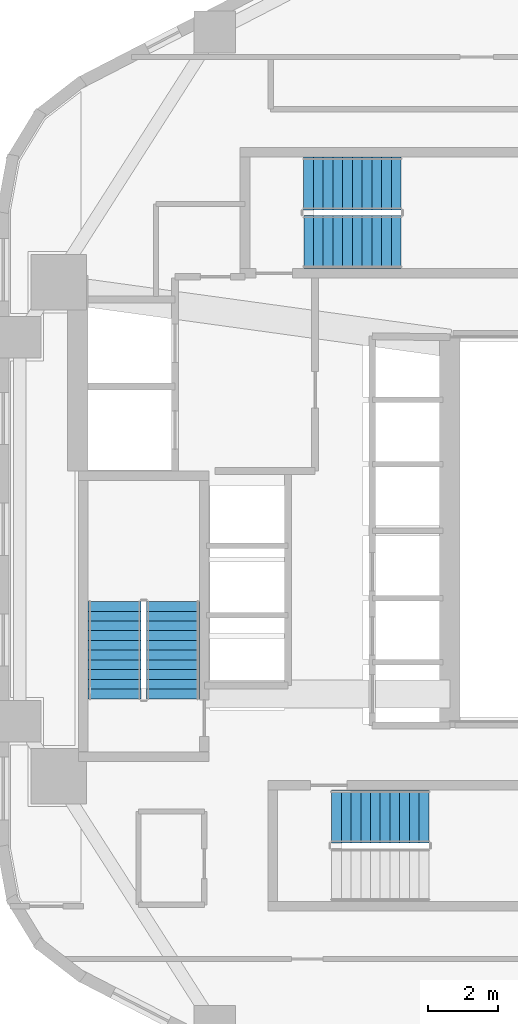
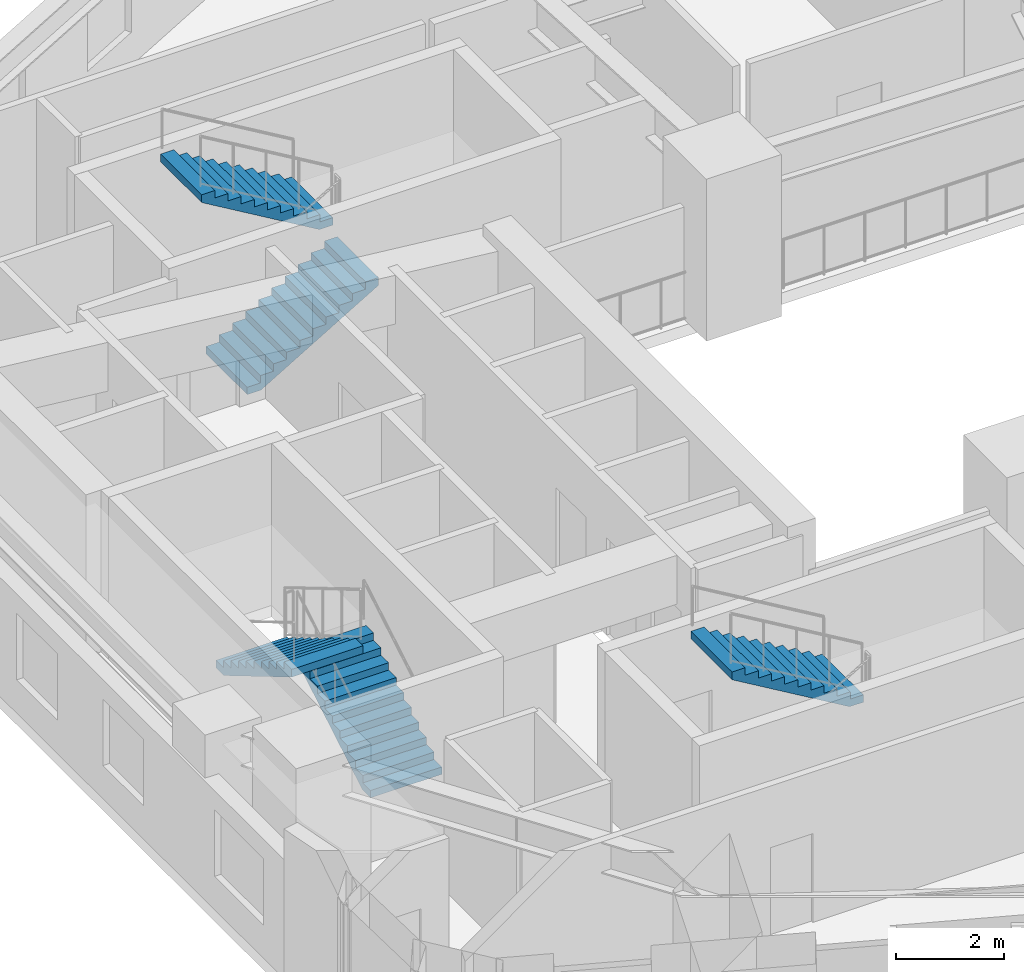
# One storey, part 6 of 7: 5 stair flights, 3 elements without a shape of their own.
"""IFC4 building model written with IfcOpenShell, lengths in metres."""

import ifcopenshell
import ifcopenshell.guid

model = None  # the IFC model being written
_history = None  # IfcOwnerHistory: only IFC2X3 demands one
_inside = {}  # id of a spatial element -> (the spatial element, [elements in it])
_under = {}  # id of a project, library or spatial element -> (it, [spatial elements below it])
_declared = {}  # id of a project -> (the project, [libraries it declares])
_typed = {}  # id of a type object -> (the type object, [elements of that type])
_made_of = {}  # id of a material, layer set ... -> (it, [elements and type objects made of it])


def new_model(schema):
    """Start an empty IFC model of exactly this schema.

    Asked for "IFC4X3", IfcOpenShell would pick the latest addendum, in which some entities
    have other attributes; the version numbers below select the first issue.
    IFC2X3 requires an IfcOwnerHistory on every rooted entity: one is made here for all.
    """
    global model, _history
    if schema == "IFC4X3":
        model = ifcopenshell.file(schema_version=(4, 3, 0, 0))
    else:
        model = ifcopenshell.file(schema=schema)
    _inside.clear()
    _under.clear()
    _declared.clear()
    _typed.clear()
    _made_of.clear()
    _history = None
    if model.schema == "IFC2X3":
        org = make("IfcOrganization", Name="unknown")
        user = make(
            "IfcPersonAndOrganization",
            ThePerson=make("IfcPerson", FamilyName="unknown"),
            TheOrganization=org,
        )
        app = make(
            "IfcApplication",
            ApplicationDeveloper=org,
            Version="unknown",
            ApplicationFullName="unknown",
            ApplicationIdentifier="unknown",
        )
        _history = make(
            "IfcOwnerHistory",
            OwningUser=user,
            OwningApplication=app,
            ChangeAction="ADDED",
            CreationDate=0,
        )
    return model


def make(cls, **values):
    """One entity of the class cls with the attributes given. An attribute that is None is left unset."""
    return model.create_entity(
        cls, **{name: value for name, value in values.items() if value is not None}
    )


def rooted(cls, **values):
    """An entity with a GlobalId (a new one), such as an element, a storey or a relation."""
    return make(cls, GlobalId=ifcopenshell.guid.new(), OwnerHistory=_history, **values)


def si_unit(unit_type, name, prefix=None):
    """IfcSIUnit, for example si_unit("LENGTHUNIT", "METRE", prefix="MILLI")."""
    return make("IfcSIUnit", UnitType=unit_type, Prefix=prefix, Name=name)


def assignment(units):
    """IfcUnitAssignment: the units of a project."""
    return None if units is None else make("IfcUnitAssignment", Units=units)


def point(xyz):
    """IfcCartesianPoint."""
    return None if xyz is None else make("IfcCartesianPoint", Coordinates=xyz)


def direction(xyz):
    """IfcDirection."""
    return None if xyz is None else make("IfcDirection", DirectionRatios=xyz)


def frame(location, z_axis=None, x_axis=None):
    """IfcAxis2Placement3D, a coordinate frame: its origin and axes. An axis left out is left unset."""
    return make(
        "IfcAxis2Placement3D",
        Location=point(location),
        Axis=direction(z_axis),
        RefDirection=direction(x_axis),
    )


def origin():
    """The frame at (0, 0, 0) with its axes left unset."""
    return frame((0.0, 0.0, 0.0))


def place(relative_to, where):
    """IfcLocalPlacement: puts the frame where relative to a parent placement (None: the world)."""
    return make(
        "IfcLocalPlacement", PlacementRelTo=relative_to, RelativePlacement=where
    )


def context(
    kind, dimensions, precision=None, world=None, true_north=None, identifier=None
):
    """IfcGeometricRepresentationContext, for example the 3D "Model" context."""
    return make(
        "IfcGeometricRepresentationContext",
        ContextIdentifier=identifier,
        ContextType=kind,
        CoordinateSpaceDimension=dimensions,
        Precision=precision,
        WorldCoordinateSystem=world,
        TrueNorth=true_north,
    )


def subcontext(parent, identifier, kind, view, scale=None):
    """IfcGeometricRepresentationSubContext, for example "Body" below "Model"."""
    return make(
        "IfcGeometricRepresentationSubContext",
        ContextIdentifier=identifier,
        ContextType=kind,
        ParentContext=parent,
        TargetScale=scale,
        TargetView=view,
    )


def project(units=None, contexts=None):
    """IfcProject with its units and contexts."""
    return rooted(
        "IfcProject",
        Name="project",
        RepresentationContexts=contexts,
        UnitsInContext=assignment(units),
    )


def spatial(cls, under=None, at=None, **own):
    """A site, building, storey or space (cls), placed at a placement, below another one or the project."""
    s = rooted(cls, ObjectPlacement=at, **own)
    if under is not None:
        _under.setdefault(under.id(), (under, []))[1].append(s)
    return s


def polyline(points):
    """IfcPolyline through the points."""
    return make("IfcPolyline", Points=[point(p) for p in points])


def outline(outer, holes=None, kind="AREA"):
    """IfcArbitraryClosedProfileDef: a profile drawn as a closed curve; with holes, ...WithVoids."""
    if holes is None:
        return make("IfcArbitraryClosedProfileDef", ProfileType=kind, OuterCurve=outer)
    return make(
        "IfcArbitraryProfileDefWithVoids",
        ProfileType=kind,
        OuterCurve=outer,
        InnerCurves=holes,
    )


def extrude(swept, where, along, depth):
    """IfcExtrudedAreaSolid: the profile swept, set in the frame where, extruded along a direction by depth."""
    return make(
        "IfcExtrudedAreaSolid",
        SweptArea=swept,
        Position=where,
        ExtrudedDirection=direction(along),
        Depth=depth,
    )


def shape(context_of_items, identifier, shape_type, items):
    """IfcShapeRepresentation: the items that make up one representation, for example the "Body"."""
    return make(
        "IfcShapeRepresentation",
        ContextOfItems=context_of_items,
        RepresentationIdentifier=identifier,
        RepresentationType=shape_type,
        Items=items,
    )


def material(Name=None, Category=None):
    """IfcMaterial."""
    return make("IfcMaterial", Name=Name, Category=Category)


def made_of(thing, what):
    """Note that an element or type object is made of a material, layer set ...; save() writes the relation."""
    if what is not None:
        _made_of.setdefault(what.id(), (what, []))[1].append(thing)
    return thing


def type_object(cls, material=None, **own):
    """A type object (cls), such as IfcWallType, which elements share."""
    return made_of(rooted(cls, **own), material)


def element(
    cls,
    number,
    at=None,
    inside=None,
    cuts=None,
    type_object=None,
    material=None,
    context=None,
    identifier="Body",
    shape_type=None,
    held_by="IfcProductDefinitionShape",
    body=None,
    shapes=None,
    **own,
):
    """One element of the class cls, such as IfcWall. Its Tag is "e" and its number.

    at: its placement. inside: the storey or other place that contains it. cuts: it is an
    opening in that element (IfcRelVoidsElement). A single representation is given by context,
    identifier, shape_type and body (its items); several are given by shapes. held_by: the class
    of the entity that holds the representations. save() writes the other relations.
    """
    e = rooted(cls, Tag="e%d" % number, ObjectPlacement=at, **own)
    if body is not None:
        shapes = [shape(context, identifier, shape_type, body)]
    if shapes is not None:
        e.Representation = make(held_by, Representations=shapes)
    if inside is not None:
        _inside.setdefault(inside.id(), (inside, []))[1].append(e)
    if cuts is not None:
        rooted(
            "IfcRelVoidsElement", RelatingBuildingElement=cuts, RelatedOpeningElement=e
        )
    if type_object is not None:
        _typed.setdefault(type_object.id(), (type_object, []))[1].append(e)
    return made_of(e, material)


def aggregate(whole, parts):
    """IfcRelAggregates: a whole, such as a stair, and the parts it consists of."""
    return rooted("IfcRelAggregates", RelatingObject=whole, RelatedObjects=parts)


def save(model, path):
    """Write the relations noted so far, then the file.

    IfcRelAggregates (storeys below a building ...), IfcRelContainedInSpatialStructure (elements
    in a storey), IfcRelDefinesByType, IfcRelAssociatesMaterial and IfcRelDeclares: one each for
    every whole, place, type object, material and project.
    """
    for whole, parts in _under.values():
        aggregate(whole, parts)
    for where, things in _inside.values():
        rooted(
            "IfcRelContainedInSpatialStructure",
            RelatedElements=things,
            RelatingStructure=where,
        )
    for kind, things in _typed.values():
        rooted("IfcRelDefinesByType", RelatedObjects=things, RelatingType=kind)
    for what, things in _made_of.values():
        rooted("IfcRelAssociatesMaterial", RelatedObjects=things, RelatingMaterial=what)
    for by, libraries in _declared.values():
        rooted("IfcRelDeclares", RelatingContext=by, RelatedDefinitions=libraries)
    model.write(path)


model = new_model("IFC4")

# Units and contexts
model_context = context("Model", 3, precision=1e-05, world=origin(), true_north=direction((0.0, 1.0)))
body_context = subcontext(model_context, "Body", "Model", "MODEL_VIEW")
ifc_project = project(units=[si_unit("LENGTHUNIT", "METRE"), si_unit("AREAUNIT", "SQUARE_METRE"), si_unit("VOLUMEUNIT", "CUBIC_METRE"), si_unit("PLANEANGLEUNIT", "RADIAN"), si_unit("MASSUNIT", "GRAM", prefix="KILO"), si_unit("THERMODYNAMICTEMPERATUREUNIT", "KELVIN"), si_unit("POWERUNIT", "WATT")], contexts=[model_context])

# Site, building, storey
site_placement = place(None, origin())
site = spatial("IfcSite", under=ifc_project, at=site_placement, CompositionType="ELEMENT")
building_placement = place(site_placement, origin())
building = spatial("IfcBuilding", under=site, at=building_placement, Name="Skarre Station Tower", CompositionType="ELEMENT")
storey_placement = place(building_placement, frame((0.0, 0.0, 41.60009765625)))
storey = spatial("IfcBuildingStorey", under=building, at=storey_placement, Name="L10", CompositionType="ELEMENT", Elevation=41.60009765625)

# Stair, stair flights
ifc_material = material(Name="Concrete C40/50", Category="concrete")
stair_type_1 = type_object("IfcStairType", Name="Reinforced Concrete Exit Stair ST-1", PredefinedType="HALF_TURN_STAIR", material=ifc_material)
stair_1_placement = place(storey_placement, origin())
stair_1 = element("IfcStair", 1, at=stair_1_placement, inside=storey, type_object=stair_type_1, Name="L10 Core Exit Stair ST-1", PredefinedType="HALF_TURN_STAIR")
stair_flight_type_1 = type_object("IfcStairFlightType", Name="Reinforced Concrete Stair Flight ST-1", PredefinedType="STRAIGHT", material=ifc_material)
stair_flight_1_placement = place(storey_placement, frame((19.590087890625, 19.1201171875, 0.0), z_axis=(0.0, 0.0, 1.0), x_axis=(0.0, 1.0, 0.0)))
stair_flight_1 = element("IfcStairFlight", 2, at=stair_flight_1_placement, type_object=stair_flight_type_1, Name="ST-1 flight 1", NumberOfRisers=11, NumberOfTreads=10, PredefinedType="STRAIGHT", RiserHeight=0.165909091, TreadLength=0.28, context=body_context, shape_type="SweptSolid", body=[
    extrude(outline(polyline([(0.0, 0.0), (0.0, 0.166015625), (0.280029296875, 0.166015625), (0.280029296875, 0.331787109375), (0.56005859375, 0.331787109375), (0.56005859375, 0.497802734375), (0.840087890625, 0.497802734375), (0.840087890625, 0.66357421875), (1.1201171875, 0.66357421875), (1.1201171875, 0.82958984375), (1.39990234375, 0.82958984375), (1.39990234375, 0.995361328125), (1.679931640625, 0.995361328125), (1.679931640625, 1.161376953125), (1.9599609375, 1.161376953125), (1.9599609375, 1.327392578125), (2.239990234375, 1.327392578125), (2.239990234375, 1.4931640625), (2.52001953125, 1.4931640625), (2.52001953125, 1.6591796875), (2.800048828125, 1.6591796875), (2.800048828125, 1.824951171875), (2.800048828125, 1.48486328125), (0.2939453125, 0.0), (0.0, 0.0)])), frame((0.0, 0.760009765625, 0.0), z_axis=(0.0, -1.0, 0.0), x_axis=(1.0, 0.0, 0.0)), (0.0, 0.0, 1.0), 1.52001953125),
])
stair_flight_2_placement = place(storey_placement, frame((17.909912109375, 21.919921875, 1.824951171875), z_axis=(0.0, 0.0, 1.0), x_axis=(0.0, -1.0, 0.0)))
stair_flight_2 = element("IfcStairFlight", 3, at=stair_flight_2_placement, type_object=stair_flight_type_1, Name="ST-1 flight 2", NumberOfRisers=11, NumberOfTreads=10, PredefinedType="STRAIGHT", RiserHeight=0.165909091, TreadLength=0.28, context=body_context, shape_type="SweptSolid", body=[
    extrude(outline(polyline([(0.0, 0.0), (0.0, 0.166015625), (0.280029296875, 0.166015625), (0.280029296875, 0.331787109375), (0.56005859375, 0.331787109375), (0.56005859375, 0.497802734375), (0.840087890625, 0.497802734375), (0.840087890625, 0.66357421875), (1.1201171875, 0.66357421875), (1.1201171875, 0.82958984375), (1.39990234375, 0.82958984375), (1.39990234375, 0.995361328125), (1.679931640625, 0.995361328125), (1.679931640625, 1.161376953125), (1.9599609375, 1.161376953125), (1.9599609375, 1.327392578125), (2.239990234375, 1.327392578125), (2.239990234375, 1.4931640625), (2.52001953125, 1.4931640625), (2.52001953125, 1.6591796875), (2.800048828125, 1.6591796875), (2.800048828125, 1.824951171875), (2.800048828125, 1.48486328125), (0.2939453125, 0.0), (0.0, 0.0)])), frame((0.0, 0.760009765625, 0.0), z_axis=(0.0, -1.0, 0.0), x_axis=(1.0, 0.0, 0.0)), (0.0, 0.0, 1.0), 1.52001953125),
])
aggregate(stair_1, [stair_flight_1, stair_flight_2])

# Stair, stair flight
stair_type_2 = type_object("IfcStairType", Name="Reinforced Concrete Exit Stair ST-2", PredefinedType="HALF_TURN_STAIR", material=ifc_material)
stair_2_placement = place(storey_placement, origin())
stair_2 = element("IfcStair", 4, at=stair_2_placement, inside=storey, type_object=stair_type_2, Name="L10 Core Exit Stair ST-2", PredefinedType="HALF_TURN_STAIR")
stair_flight_type_2 = type_object("IfcStairFlightType", Name="Reinforced Concrete Stair Flight ST-2", PredefinedType="STRAIGHT", material=ifc_material)
stair_flight_3_placement = place(storey_placement, frame((26.949951171875, 15.739990234375, 1.824951171875), z_axis=(0.0, 0.0, 1.0), x_axis=(-1.0, 0.0, 0.0)))
stair_flight_3 = element("IfcStairFlight", 5, at=stair_flight_3_placement, type_object=stair_flight_type_2, Name="ST-2 flight 2", NumberOfRisers=11, NumberOfTreads=10, PredefinedType="STRAIGHT", RiserHeight=0.165909091, TreadLength=0.28, context=body_context, shape_type="SweptSolid", body=[
    extrude(outline(polyline([(0.0, 0.0), (0.0, 0.166015625), (0.280029296875, 0.166015625), (0.280029296875, 0.331787109375), (0.56005859375, 0.331787109375), (0.56005859375, 0.497802734375), (0.840087890625, 0.497802734375), (0.840087890625, 0.66357421875), (1.1201171875, 0.66357421875), (1.1201171875, 0.82958984375), (1.39990234375, 0.82958984375), (1.39990234375, 0.995361328125), (1.679931640625, 0.995361328125), (1.679931640625, 1.161376953125), (1.9599609375, 1.161376953125), (1.9599609375, 1.327392578125), (2.239990234375, 1.327392578125), (2.239990234375, 1.4931640625), (2.52001953125, 1.4931640625), (2.52001953125, 1.6591796875), (2.800048828125, 1.6591796875), (2.800048828125, 1.824951171875), (2.800048828125, 1.48486328125), (0.2939453125, 0.0), (0.0, 0.0)])), frame((0.0, 0.760009765625, 0.0), z_axis=(0.0, -1.0, 0.0), x_axis=(1.0, 0.0, 0.0)), (0.0, 0.0, 1.0), 1.52001953125),
])
aggregate(stair_2, [stair_flight_3])

# Stair, stair flights
stair_type_3 = type_object("IfcStairType", Name="Reinforced Concrete Exit Stair ST-3", PredefinedType="HALF_TURN_STAIR", material=ifc_material)
stair_3_placement = place(storey_placement, origin())
stair_3 = element("IfcStair", 6, at=stair_3_placement, inside=storey, type_object=stair_type_3, Name="L10 Core Exit Stair ST-3", PredefinedType="HALF_TURN_STAIR")
stair_flight_type_3 = type_object("IfcStairFlightType", Name="Reinforced Concrete Stair Flight ST-3", PredefinedType="STRAIGHT", material=ifc_material)
stair_flight_4_placement = place(storey_placement, frame((23.35009765625, 32.260009765625, 0.0), z_axis=(0.0, 0.0, 1.0), x_axis=(1.0, 0.0, 0.0)))
stair_flight_4 = element("IfcStairFlight", 7, at=stair_flight_4_placement, type_object=stair_flight_type_3, Name="ST-3 flight 1", NumberOfRisers=11, NumberOfTreads=10, PredefinedType="STRAIGHT", RiserHeight=0.165909091, TreadLength=0.28, context=body_context, shape_type="SweptSolid", body=[
    extrude(outline(polyline([(0.0, 0.0), (0.0, 0.166015625), (0.280029296875, 0.166015625), (0.280029296875, 0.331787109375), (0.56005859375, 0.331787109375), (0.56005859375, 0.497802734375), (0.840087890625, 0.497802734375), (0.840087890625, 0.66357421875), (1.1201171875, 0.66357421875), (1.1201171875, 0.82958984375), (1.39990234375, 0.82958984375), (1.39990234375, 0.995361328125), (1.679931640625, 0.995361328125), (1.679931640625, 1.161376953125), (1.9599609375, 1.161376953125), (1.9599609375, 1.327392578125), (2.239990234375, 1.327392578125), (2.239990234375, 1.4931640625), (2.52001953125, 1.4931640625), (2.52001953125, 1.6591796875), (2.800048828125, 1.6591796875), (2.800048828125, 1.824951171875), (2.800048828125, 1.48486328125), (0.2939453125, 0.0), (0.0, 0.0)])), frame((0.0, 0.760009765625, 0.0), z_axis=(0.0, -1.0, 0.0), x_axis=(1.0, 0.0, 0.0)), (0.0, 0.0, 1.0), 1.52001953125),
])
stair_flight_5_placement = place(storey_placement, frame((26.14990234375, 33.93994140625, 1.824951171875), z_axis=(0.0, 0.0, 1.0), x_axis=(-1.0, 0.0, 0.0)))
stair_flight_5 = element("IfcStairFlight", 8, at=stair_flight_5_placement, type_object=stair_flight_type_3, Name="ST-3 flight 2", NumberOfRisers=11, NumberOfTreads=10, PredefinedType="STRAIGHT", RiserHeight=0.165909091, TreadLength=0.28, context=body_context, shape_type="SweptSolid", body=[
    extrude(outline(polyline([(0.0, 0.0), (0.0, 0.166015625), (0.280029296875, 0.166015625), (0.280029296875, 0.331787109375), (0.56005859375, 0.331787109375), (0.56005859375, 0.497802734375), (0.840087890625, 0.497802734375), (0.840087890625, 0.66357421875), (1.1201171875, 0.66357421875), (1.1201171875, 0.82958984375), (1.39990234375, 0.82958984375), (1.39990234375, 0.995361328125), (1.679931640625, 0.995361328125), (1.679931640625, 1.161376953125), (1.9599609375, 1.161376953125), (1.9599609375, 1.327392578125), (2.239990234375, 1.327392578125), (2.239990234375, 1.4931640625), (2.52001953125, 1.4931640625), (2.52001953125, 1.6591796875), (2.800048828125, 1.6591796875), (2.800048828125, 1.824951171875), (2.800048828125, 1.48486328125), (0.2939453125, 0.0), (0.0, 0.0)])), frame((0.0, 0.760009765625, 0.0), z_axis=(0.0, -1.0, 0.0), x_axis=(1.0, 0.0, 0.0)), (0.0, 0.0, 1.0), 1.52001953125),
])
aggregate(stair_3, [stair_flight_4, stair_flight_5])

save(model, "model.ifc")
